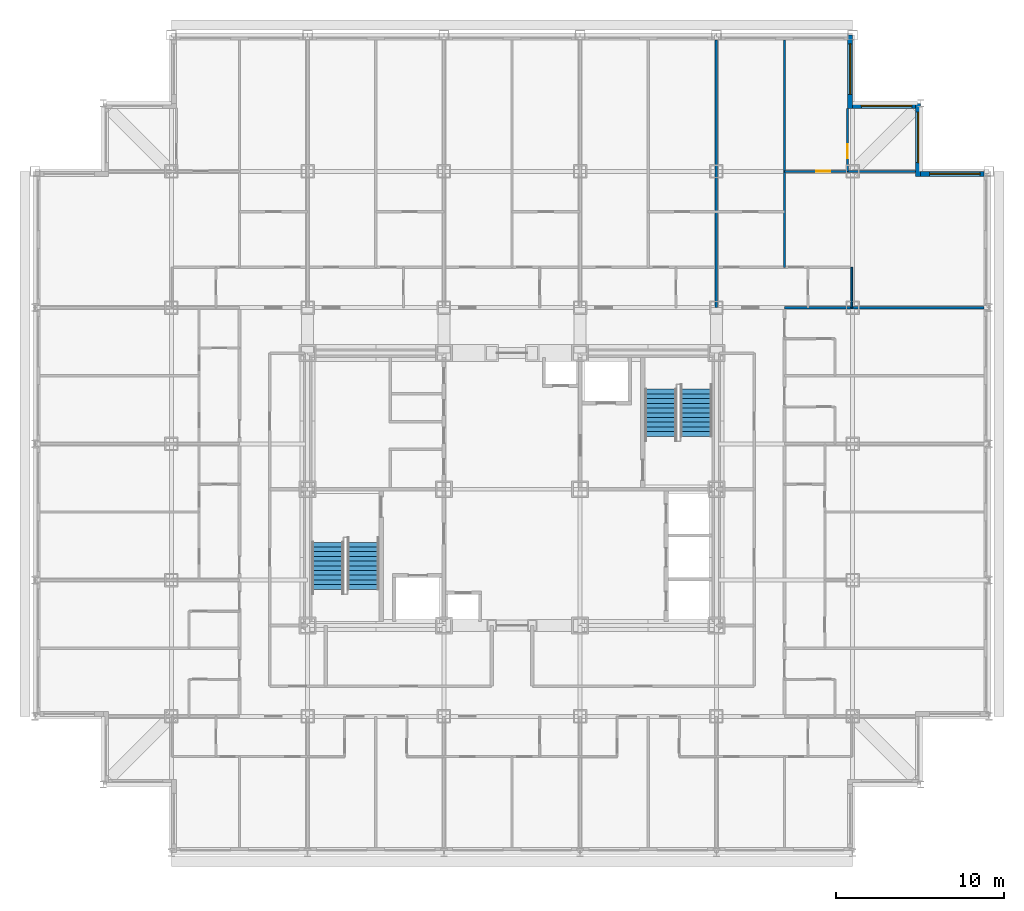
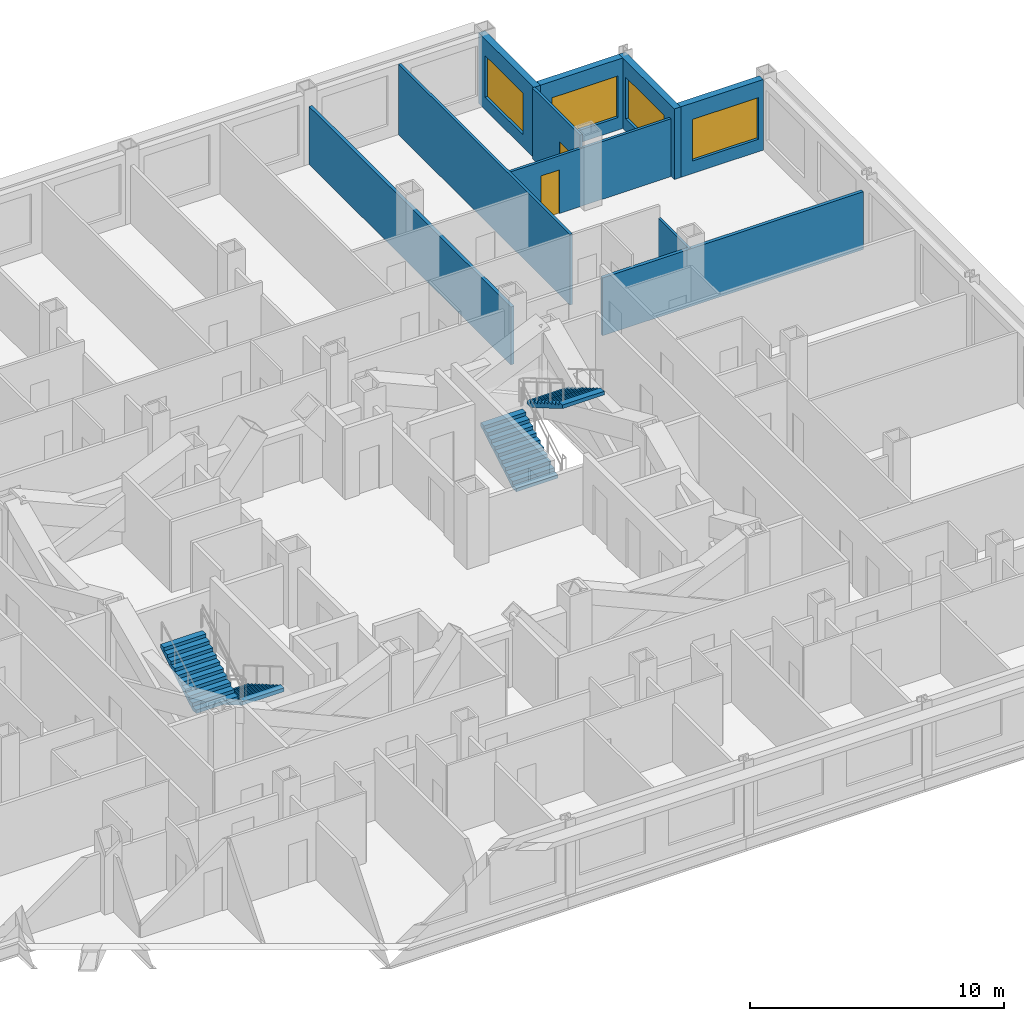
# One storey, part 11 of 12: 10 walls, 4 stair flights, 4 windows, 2 doors, 6 openings, 2 elements without a shape of their own.
"""IFC4 building model written with IfcOpenShell, lengths in metres."""

from ifc_helpers import new_model, si_unit, direction, frame, frame_2d, origin, place, context, subcontext, project, spatial, rectangle, extrude, polygons, source, transform, mapped, material, layer, layer_set, type_object, element, fill, aggregate, save


model = new_model("IFC4")

# Units and contexts
model_context = context("Model", 3, precision=1e-05, world=origin(), true_north=direction((0.0, 1.0)))
body_context = subcontext(model_context, "Body", "Model", "MODEL_VIEW")
ifc_project = project(units=[si_unit("LENGTHUNIT", "METRE"), si_unit("AREAUNIT", "SQUARE_METRE"), si_unit("VOLUMEUNIT", "CUBIC_METRE"), si_unit("PLANEANGLEUNIT", "RADIAN"), si_unit("MASSUNIT", "GRAM", prefix="KILO")], contexts=[model_context])

# Site, building, storey
site_placement = place(None, origin())
site = spatial("IfcSite", under=ifc_project, at=site_placement, CompositionType="ELEMENT")
building_placement = place(site_placement, origin())
building = spatial("IfcBuilding", under=site, at=building_placement, Name="Kopane Lantern Tower", CompositionType="ELEMENT")
storey_placement = place(building_placement, frame((0.0, 0.0, 174.0)))
storey = spatial("IfcBuildingStorey", under=building, at=storey_placement, Name="L44", CompositionType="ELEMENT", Elevation=174.0)

# Wall
ifc_material_1 = material(Name="Gypsum board on steel studs", Category="steel")
ifc_layer_1 = layer(ifc_material_1, 0.1201171875)
ifc_layer_set_1 = layer_set([ifc_layer_1], Name="APARTMENT INTERNAL WALL 120")
wall_type_1 = type_object("IfcWallType", Name="APARTMENT INTERNAL WALL 120", PredefinedType="PARTITIONING", material=ifc_layer_set_1)
wall_1_placement = place(storey_placement, frame((44.550048828125, 45.60009765625, 0.0), z_axis=(0.0, 0.0, 1.0), x_axis=(0.0, 1.0, 0.0)))
element("IfcWall", 1, at=wall_1_placement, inside=storey, type_object=wall_type_1, Name="Apartment Internal Wall 120 L44", PredefinedType="PARTITIONING", context=body_context, shape_type="SweptSolid", body=[
    extrude(rectangle(XDim=13.5, YDim=0.1201171875, at=frame_2d((6.75, 0.0))), origin(), (0.0, 0.0, 1.0), 3.389892578125),
])

# Wall, opening, door
wall_2_placement = place(storey_placement, frame((44.550048828125, 51.300048828125, 0.0), z_axis=(0.0, 0.0, 1.0), x_axis=(1.0, 0.0, 0.0)))
wall_2 = element("IfcWall", 2, at=wall_2_placement, inside=storey, type_object=wall_type_1, Name="Apartment Internal Wall 120 L44", PredefinedType="PARTITIONING", context=body_context, shape_type="SweptSolid", body=[
    extrude(rectangle(XDim=7.800048828125, YDim=0.1201171875, at=frame_2d((3.89990234375, 0.0))), origin(), (0.0, 0.0, 1.0), 2.77783203125),
])
opening_1_placement = place(wall_2_placement, frame((1.875, 0.0, 0.0)))
opening_1 = element("IfcOpeningElement", 3, at=opening_1_placement, cuts=wall_2, Name="Opening L44-066", PredefinedType="OPENING", context=body_context, shape_type="SweptSolid", body=[
    extrude(rectangle(XDim=0.85009765625, YDim=2.10009765625, at=frame_2d((0.425048828125, 1.050048828125))), frame((0.0, 0.070068359375, 0.0), z_axis=(0.0, -1.0, 0.0), x_axis=(1.0, 0.0, 0.0)), (0.0, 0.0, 1.0), 0.14013671875),
])
ifc_material_2 = material(Name="Timber door set", Category="wood")
door_type = type_object("IfcDoorType", Name="DOOR D4 850x2100", OperationType="SINGLE_SWING_LEFT", PredefinedType="DOOR", material=ifc_material_2)
door_1_placement = place(opening_1_placement, origin())
door_1 = element("IfcDoor", 4, at=door_1_placement, inside=storey, type_object=door_type, Name="Door L44-066", OperationType="SINGLE_SWING_RIGHT", OverallHeight=2.10009765625, OverallWidth=0.85009765625, PredefinedType="DOOR", context=body_context, shape_type="SweptSolid", body=[
    extrude(rectangle(XDim=0.85009765625, YDim=2.10009765625, at=frame_2d((0.425048828125, 1.050048828125))), frame((0.0, 0.02490234375, 0.0), z_axis=(0.0, -1.0, 0.0), x_axis=(1.0, 0.0, 0.0)), (0.0, 0.0, 1.0), 0.050048828125),
])
fill(opening_1, door_1)

wall_3_placement = place(storey_placement, frame((48.300048828125, 51.300048828125, 0.0), z_axis=(0.0, 0.0, 1.0), x_axis=(0.0, 1.0, 0.0)))
wall_3 = element("IfcWall", 5, at=wall_3_placement, inside=storey, type_object=wall_type_1, Name="Apartment Internal Wall 120 L44", PredefinedType="PARTITIONING", context=body_context, shape_type="SweptSolid", body=[
    extrude(rectangle(XDim=3.75, YDim=0.1201171875, at=frame_2d((1.875, 0.0))), origin(), (0.0, 0.0, 1.0), 3.389892578125),
])
opening_2_placement = place(wall_3_placement, frame((0.77490234375, 0.0, 0.0)))
opening_2 = element("IfcOpeningElement", 6, at=opening_2_placement, cuts=wall_3, Name="Opening L44-072", PredefinedType="OPENING", context=body_context, shape_type="SweptSolid", body=[
    extrude(rectangle(XDim=0.85009765625, YDim=2.10009765625, at=frame_2d((0.425048828125, 1.050048828125))), frame((0.0, 0.070068359375, 0.0), z_axis=(0.0, -1.0, 0.0), x_axis=(1.0, 0.0, 0.0)), (0.0, 0.0, 1.0), 0.14013671875),
])
door_2_placement = place(opening_2_placement, origin())
door_2 = element("IfcDoor", 7, at=door_2_placement, inside=storey, type_object=door_type, Name="Door L44-072", OperationType="SINGLE_SWING_RIGHT", OverallHeight=2.10009765625, OverallWidth=0.85009765625, PredefinedType="DOOR", context=body_context, shape_type="SweptSolid", body=[
    extrude(rectangle(XDim=0.85009765625, YDim=2.10009765625, at=frame_2d((0.425048828125, 1.050048828125))), frame((0.0, 0.02490234375, 0.0), z_axis=(0.0, -1.0, 0.0), x_axis=(1.0, 0.0, 0.0)), (0.0, 0.0, 1.0), 0.050048828125),
])
fill(opening_2, door_2)

# Walls
ifc_material_3 = material(Name="Moisture-resistant board on steel studs", Category="steel")
ifc_layer_2 = layer(ifc_material_3, 0.10009765625)
ifc_layer_set_2 = layer_set([ifc_layer_2], Name="BATHROOM WALL 100")
wall_type_2 = type_object("IfcWallType", Name="BATHROOM WALL 100", PredefinedType="PARTITIONING", material=ifc_layer_set_2)
wall_4_placement = place(storey_placement, frame((48.550048828125, 43.199951171875, 0.0), z_axis=(0.0, 0.0, 1.0), x_axis=(0.0, 1.0, 0.0)))
element("IfcWall", 8, at=wall_4_placement, inside=storey, type_object=wall_type_2, Name="Bathroom Wall 100 L44", PredefinedType="PARTITIONING", context=body_context, shape_type="SweptSolid", body=[
    extrude(rectangle(XDim=2.400146484375, YDim=0.10009765625, at=frame_2d((1.2001953125, 0.0))), origin(), (0.0, 0.0, 1.0), 2.77783203125),
])
ifc_material_4 = material(Name="Gypsum board on steel studs", Category="steel")
ifc_layer_3 = layer(ifc_material_4, 0.14990234375)
ifc_layer_set_3 = layer_set([ifc_layer_3], Name="DEMISING WALL 150 EI 60")
wall_type_3 = type_object("IfcWallType", Name="DEMISING WALL 150 EI 60", PredefinedType="PARTITIONING", material=ifc_layer_set_3)
wall_5_placement = place(storey_placement, frame((44.550048828125, 43.199951171875, 0.0), z_axis=(0.0, 0.0, 1.0), x_axis=(1.0, 0.0, 0.0)))
element("IfcWall", 9, at=wall_5_placement, inside=storey, type_object=wall_type_3, Name="Demising Wall 150 Ei 60 L44", PredefinedType="PARTITIONING", context=body_context, shape_type="SweptSolid", body=[
    extrude(rectangle(XDim=11.849853515625, YDim=0.14990234375, at=frame_2d((5.9248046875, 0.0))), origin(), (0.0, 0.0, 1.0), 2.77783203125),
])
wall_6_placement = place(storey_placement, frame((40.5, 43.199951171875, 0.0), z_axis=(0.0, 0.0, 1.0), x_axis=(0.0, 1.0, 0.0)))
element("IfcWall", 10, at=wall_6_placement, inside=storey, type_object=wall_type_3, Name="Demising Wall 150 Ei 60 L44", PredefinedType="PARTITIONING", context=body_context, shape_type="SweptSolid", body=[
    extrude(rectangle(XDim=15.900146484375, YDim=0.14990234375, at=frame_2d((7.9501953125, 0.0))), origin(), (0.0, 0.0, 1.0), 2.77783203125),
])

# Wall, opening, window
ifc_material_5 = material(Name="Terracotta rainscreen on light steel framing", Category="masonry")
ifc_layer_4 = layer(ifc_material_5, 0.300048828125)
ifc_layer_set_4 = layer_set([ifc_layer_4], Name="EXTERNAL WALL EW1 300 TERRACOTTA")
wall_type_4 = type_object("IfcWallType", Name="EXTERNAL WALL EW1 300 TERRACOTTA", PredefinedType="SOLIDWALL", material=ifc_layer_set_4)
wall_7_placement = place(storey_placement, frame((56.39990234375, 51.14990234375, 0.0), z_axis=(0.0, 0.0, 1.0), x_axis=(-1.0, 0.0, 0.0)))
wall_7 = element("IfcWall", 11, at=wall_7_placement, inside=storey, type_object=wall_type_4, Name="External wall N L44", PredefinedType="SOLIDWALL", context=body_context, shape_type="SweptSolid", body=[
    extrude(rectangle(XDim=3.75, YDim=0.300048828125, at=frame_2d((1.875, 0.0))), origin(), (0.0, 0.0, 1.0), 3.389892578125),
])
opening_3_placement = place(wall_7_placement, frame((0.22509765625, 0.0, 0.60009765625)))
opening_3 = element("IfcOpeningElement", 12, at=opening_3_placement, cuts=wall_7, Name="Opening WR300200", PredefinedType="OPENING", context=body_context, shape_type="SweptSolid", body=[
    extrude(rectangle(XDim=3.0, YDim=2.0, at=frame_2d((1.5, 1.0))), frame((0.0, 0.159912109375, 0.0), z_axis=(0.0, -1.0, 0.0), x_axis=(1.0, 0.0, 0.0)), (0.0, 0.0, 1.0), 0.320068359375),
])
ifc_material_6 = material(Name="Aluminium and clear glass", Category="aluminium")
window_type = type_object("IfcWindowType", Name="RIBBON WINDOW WR300200 3000x2000", PartitioningType="SINGLE_PANEL", PredefinedType="WINDOW", material=ifc_material_6)
window_1_placement = place(opening_3_placement, origin())
window_1 = element("IfcWindow", 13, at=window_1_placement, inside=storey, type_object=window_type, Name="Window N L44", OverallHeight=2.0, OverallWidth=3.0, PartitioningType="SINGLE_PANEL", PredefinedType="WINDOW", context=body_context, shape_type="SweptSolid", body=[
    extrude(rectangle(XDim=3.0, YDim=2.0, at=frame_2d((1.5, 1.0))), frame((0.0, 0.030029296875, 0.0), z_axis=(0.0, -1.0, 0.0), x_axis=(1.0, 0.0, 0.0)), (0.0, 0.0, 1.0), 0.06005859375),
])
fill(opening_3, window_1)

wall_8_placement = place(storey_placement, frame((52.5, 51.0, 0.0), z_axis=(0.0, 0.0, 1.0), x_axis=(0.0, 1.0, 0.0)))
wall_8 = element("IfcWall", 14, at=wall_8_placement, inside=storey, type_object=wall_type_4, Name="External wall E L44", PredefinedType="SOLIDWALL", context=body_context, shape_type="SweptSolid", body=[
    extrude(rectangle(XDim=4.35009765625, YDim=0.300048828125, at=frame_2d((2.175048828125, 0.0))), origin(), (0.0, 0.0, 1.0), 3.389892578125),
])
opening_4_placement = place(wall_8_placement, frame((0.824951171875, 0.0, 0.60009765625)))
opening_4 = element("IfcOpeningElement", 15, at=opening_4_placement, cuts=wall_8, Name="Opening WR300200", PredefinedType="OPENING", context=body_context, shape_type="SweptSolid", body=[
    extrude(rectangle(XDim=3.0, YDim=2.0, at=frame_2d((1.5, 1.0))), frame((0.0, 0.159912109375, 0.0), z_axis=(0.0, -1.0, 0.0), x_axis=(1.0, 0.0, 0.0)), (0.0, 0.0, 1.0), 0.320068359375),
])
window_2_placement = place(opening_4_placement, origin())
window_2 = element("IfcWindow", 16, at=window_2_placement, inside=storey, type_object=window_type, Name="Window E L44", OverallHeight=2.0, OverallWidth=3.0, PartitioningType="SINGLE_PANEL", PredefinedType="WINDOW", context=body_context, shape_type="SweptSolid", body=[
    extrude(rectangle(XDim=3.0, YDim=2.0, at=frame_2d((1.5, 1.0))), frame((0.0, 0.030029296875, 0.0), z_axis=(0.0, -1.0, 0.0), x_axis=(1.0, 0.0, 0.0)), (0.0, 0.0, 1.0), 0.06005859375),
])
fill(opening_4, window_2)

wall_9_placement = place(storey_placement, frame((52.35009765625, 55.199951171875, 0.0), z_axis=(0.0, 0.0, 1.0), x_axis=(-1.0, 0.0, 0.0)))
wall_9 = element("IfcWall", 17, at=wall_9_placement, inside=storey, type_object=wall_type_4, Name="External wall N L44", PredefinedType="SOLIDWALL", context=body_context, shape_type="SweptSolid", body=[
    extrude(rectangle(XDim=3.75, YDim=0.300048828125, at=frame_2d((1.875, 0.0))), origin(), (0.0, 0.0, 1.0), 3.389892578125),
])
opening_5_placement = place(wall_9_placement, frame((0.22509765625, 0.0, 0.60009765625)))
opening_5 = element("IfcOpeningElement", 18, at=opening_5_placement, cuts=wall_9, Name="Opening WR300200", PredefinedType="OPENING", context=body_context, shape_type="SweptSolid", body=[
    extrude(rectangle(XDim=3.0, YDim=2.0, at=frame_2d((1.5, 1.0))), frame((0.0, 0.159912109375, 0.0), z_axis=(0.0, -1.0, 0.0), x_axis=(1.0, 0.0, 0.0)), (0.0, 0.0, 1.0), 0.320068359375),
])
window_3_placement = place(opening_5_placement, origin())
window_3 = element("IfcWindow", 19, at=window_3_placement, inside=storey, type_object=window_type, Name="Window N L44", OverallHeight=2.0, OverallWidth=3.0, PartitioningType="SINGLE_PANEL", PredefinedType="WINDOW", context=body_context, shape_type="SweptSolid", body=[
    extrude(rectangle(XDim=3.0, YDim=2.0, at=frame_2d((1.5, 1.0))), frame((0.0, 0.030029296875, 0.0), z_axis=(0.0, -1.0, 0.0), x_axis=(1.0, 0.0, 0.0)), (0.0, 0.0, 1.0), 0.06005859375),
])
fill(opening_5, window_3)

wall_10_placement = place(storey_placement, frame((48.449951171875, 55.050048828125, 0.0), z_axis=(0.0, 0.0, 1.0), x_axis=(0.0, 1.0, 0.0)))
wall_10 = element("IfcWall", 20, at=wall_10_placement, inside=storey, type_object=wall_type_4, Name="External wall E L44", PredefinedType="SOLIDWALL", context=body_context, shape_type="SweptSolid", body=[
    extrude(rectangle(XDim=4.349853515625, YDim=0.300048828125, at=frame_2d((2.1748046875, 0.0))), origin(), (0.0, 0.0, 1.0), 3.389892578125),
])
opening_6_placement = place(wall_10_placement, frame((0.824951171875, 0.0, 0.60009765625)))
opening_6 = element("IfcOpeningElement", 21, at=opening_6_placement, cuts=wall_10, Name="Opening WR300200", PredefinedType="OPENING", context=body_context, shape_type="SweptSolid", body=[
    extrude(rectangle(XDim=3.0, YDim=2.0, at=frame_2d((1.5, 1.0))), frame((0.0, 0.159912109375, 0.0), z_axis=(0.0, -1.0, 0.0), x_axis=(1.0, 0.0, 0.0)), (0.0, 0.0, 1.0), 0.320068359375),
])
window_4_placement = place(opening_6_placement, origin())
window_4 = element("IfcWindow", 22, at=window_4_placement, inside=storey, type_object=window_type, Name="Window E L44", OverallHeight=2.0, OverallWidth=3.0, PartitioningType="SINGLE_PANEL", PredefinedType="WINDOW", context=body_context, shape_type="SweptSolid", body=[
    extrude(rectangle(XDim=3.0, YDim=2.0, at=frame_2d((1.5, 1.0))), frame((0.0, 0.030029296875, 0.0), z_axis=(0.0, -1.0, 0.0), x_axis=(1.0, 0.0, 0.0)), (0.0, 0.0, 1.0), 0.06005859375),
])
fill(opening_6, window_4)

# Stair, stair flights
ifc_material_7 = material(Name="Steel S355JR", Category="steel")
stair_type = type_object("IfcStairType", Name="EXIT STAIR 1900 HALF TURN", PredefinedType="HALF_TURN_STAIR", material=ifc_material_7)
stair_1_placement = place(storey_placement, origin())
stair_1 = element("IfcStair", 23, at=stair_1_placement, inside=storey, type_object=stair_type, Name="Exit stair ST1 L44", PredefinedType="HALF_TURN_STAIR")
ifc_material_8 = material(Name="Steel S355JR", Category="steel")
stair_flight_type = type_object("IfcStairFlightType", Name="STAIR FLIGHT 1900 STEEL", PredefinedType="STRAIGHT", material=ifc_material_8)
shared_shape = source(origin(), body_context, "Body", "Tessellation", [
    polygons([(2.800048828, 0.949951172, 1.636474609), (2.520019531, 0.949951172, 1.636474609), (2.520019531, -0.949951172, 1.636474609), (2.800048828, -0.949951172, 1.636474609), (0.297119141, 0.949951172, 0.0), (2.800048828, 0.949951172, 1.462646484), (2.800048828, -0.949951172, 1.462646484), (0.297119141, -0.949951172, 0.0), (0.0, 0.949951172, 0.0), (0.0, -0.949951172, 0.0), (0.280029297, 0.949951172, 0.163574219), (0.0, 0.949951172, 0.163574219), (0.0, -0.949951172, 0.163574219), (0.280029297, -0.949951172, 0.163574219), (0.280029297, 0.949951172, 0.327392578), (0.280029297, -0.949951172, 0.327392578), (0.560058594, 0.949951172, 0.327392578), (0.560058594, -0.949951172, 0.327392578), (0.560058594, 0.949951172, 0.490966797), (0.560058594, -0.949951172, 0.490966797), (0.840087891, 0.949951172, 0.490966797), (0.840087891, -0.949951172, 0.490966797), (0.840087891, 0.949951172, 0.654541016), (0.840087891, -0.949951172, 0.654541016), (1.120117188, 0.949951172, 0.654541016), (1.120117188, -0.949951172, 0.654541016), (1.120117188, 0.949951172, 0.818115234), (1.120117188, -0.949951172, 0.818115234), (1.399902344, 0.949951172, 0.818115234), (1.399902344, -0.949951172, 0.818115234), (1.399902344, 0.949951172, 0.981933594), (1.399902344, -0.949951172, 0.981933594), (1.679931641, 0.949951172, 0.981933594), (1.679931641, -0.949951172, 0.981933594), (1.679931641, 0.949951172, 1.145507812), (1.679931641, -0.949951172, 1.145507812), (1.959960938, 0.949951172, 1.145507812), (1.959960938, -0.949951172, 1.145507812), (1.959960938, 0.949951172, 1.309082031), (1.959960938, -0.949951172, 1.309082031), (2.239990234, 0.949951172, 1.309082031), (2.239990234, -0.949951172, 1.309082031), (2.239990234, 0.949951172, 1.47265625), (2.239990234, -0.949951172, 1.47265625), (2.520019531, 0.949951172, 1.47265625), (2.520019531, -0.949951172, 1.47265625), (0.0, 0.0, 0.004420925), (0.0, 0.0, 0.00884185), (0.0, 0.0, 0.013262774), (0.0, 0.0, 0.017683699), (0.0, 0.0, 0.022104624), (0.0, 0.0, 0.026525549), (0.0, 0.0, 0.030946474), (0.0, 0.0, 0.035367399), (0.0, 0.0, 0.039788323), (0.0, 0.0, 0.044209248), (0.0, 0.0, 0.048630173), (0.0, 0.0, 0.053051098), (0.0, 0.0, 0.057472023), (0.0, 0.0, 0.061892948), (0.0, 0.0, 0.066313872), (0.0, 0.0, 0.070734797), (0.0, 0.0, 0.075155722), (0.0, 0.0, 0.079576647), (0.0, 0.0, 0.083997572), (0.0, 0.0, 0.088418497), (0.0, 0.0, 0.092839421), (0.0, 0.0, 0.097260346), (0.0, 0.0, 0.101681271), (0.0, 0.0, 0.106102196), (0.0, 0.0, 0.110523121), (0.0, 0.0, 0.114944046), (0.0, 0.0, 0.11936497), (0.0, 0.0, 0.123785895), (0.0, 0.0, 0.12820682), (0.0, 0.0, 0.132627745), (0.0, 0.0, 0.13704867), (0.0, 0.0, 0.141469595), (0.0, 0.0, 0.145890519), (0.0, 0.0, 0.150311444), (0.0, 0.0, 0.154732369), (0.0, 0.0, 0.159153294), (2.800048828, 0.0, 1.467344542), (2.800048828, 0.0, 1.472042599), (2.800048828, 0.0, 1.476740657), (2.800048828, 0.0, 1.481438714), (2.800048828, 0.0, 1.486136772), (2.800048828, 0.0, 1.490834829), (2.800048828, 0.0, 1.495532886), (2.800048828, 0.0, 1.500230944), (2.800048828, 0.0, 1.504929001), (2.800048828, 0.0, 1.509627059), (2.800048828, 0.0, 1.514325116), (2.800048828, 0.0, 1.519023174), (2.800048828, 0.0, 1.523721231), (2.800048828, 0.0, 1.528419288), (2.800048828, 0.0, 1.533117346), (2.800048828, 0.0, 1.537815403), (2.800048828, 0.0, 1.542513461), (2.800048828, 0.0, 1.547211518), (2.800048828, 0.0, 1.551909576), (2.800048828, 0.0, 1.556607633), (2.800048828, 0.0, 1.56130569), (2.800048828, 0.0, 1.566003748), (2.800048828, 0.0, 1.570701805), (2.800048828, 0.0, 1.575399863), (2.800048828, 0.0, 1.58009792), (2.800048828, 0.0, 1.584795978), (2.800048828, 0.0, 1.589494035), (2.800048828, 0.0, 1.594192092), (2.800048828, 0.0, 1.59889015), (2.800048828, 0.0, 1.603588207), (2.800048828, 0.0, 1.608286265), (2.800048828, 0.0, 1.612984322), (2.800048828, 0.0, 1.61768238), (2.800048828, 0.0, 1.622380437), (2.800048828, 0.0, 1.627078495), (2.800048828, 0.0, 1.631776552)], [[[1, 2, 3]], [[1, 3, 4]], [[5, 6, 7]], [[5, 7, 8]], [[9, 5, 8]], [[9, 8, 10]], [[11, 12, 13]], [[11, 13, 14]], [[15, 11, 14]], [[15, 14, 16]], [[17, 15, 16]], [[17, 16, 18]], [[19, 17, 18]], [[19, 18, 20]], [[21, 19, 20]], [[21, 20, 22]], [[23, 21, 22]], [[23, 22, 24]], [[25, 23, 24]], [[25, 24, 26]], [[27, 25, 26]], [[27, 26, 28]], [[29, 27, 28]], [[29, 28, 30]], [[31, 29, 30]], [[31, 30, 32]], [[33, 31, 32]], [[33, 32, 34]], [[35, 33, 34]], [[35, 34, 36]], [[37, 35, 36]], [[37, 36, 38]], [[39, 37, 38]], [[39, 38, 40]], [[41, 39, 40]], [[41, 40, 42]], [[43, 41, 42]], [[43, 42, 44]], [[45, 43, 44]], [[45, 44, 46]], [[2, 45, 46]], [[2, 46, 3]], [[45, 1, 6]], [[41, 45, 6]], [[2, 1, 45]], [[37, 41, 6]], [[43, 45, 41]], [[39, 41, 37]], [[35, 37, 33]], [[31, 33, 29]], [[27, 29, 25]], [[5, 21, 25]], [[17, 21, 5]], [[23, 25, 21]], [[11, 17, 5]], [[19, 21, 17]], [[9, 11, 5]], [[15, 17, 11]], [[12, 11, 9]], [[6, 5, 25]], [[6, 25, 29]], [[6, 29, 33]], [[6, 33, 37]], [[7, 4, 46]], [[7, 46, 42]], [[46, 4, 3]], [[7, 42, 38]], [[42, 46, 44]], [[38, 42, 40]], [[34, 38, 36]], [[30, 34, 32]], [[26, 30, 28]], [[26, 22, 8]], [[8, 22, 18]], [[22, 26, 24]], [[8, 18, 14]], [[18, 22, 20]], [[8, 14, 10]], [[14, 18, 16]], [[10, 14, 13]], [[26, 8, 7]], [[30, 26, 7]], [[34, 30, 7]], [[38, 34, 7]], [[10, 47, 9]], [[10, 48, 47]], [[9, 47, 48]], [[10, 49, 48]], [[9, 48, 49]], [[10, 50, 49]], [[9, 49, 50]], [[10, 51, 50]], [[9, 50, 51]], [[10, 52, 51]], [[9, 51, 52]], [[10, 53, 52]], [[9, 52, 53]], [[10, 54, 53]], [[9, 53, 54]], [[10, 55, 54]], [[9, 54, 55]], [[10, 56, 55]], [[9, 55, 56]], [[10, 57, 56]], [[9, 56, 57]], [[10, 58, 57]], [[9, 57, 58]], [[10, 59, 58]], [[9, 58, 59]], [[10, 60, 59]], [[9, 59, 60]], [[10, 61, 60]], [[9, 60, 61]], [[10, 62, 61]], [[9, 61, 62]], [[10, 63, 62]], [[9, 62, 63]], [[10, 64, 63]], [[9, 63, 64]], [[10, 65, 64]], [[9, 64, 65]], [[10, 66, 65]], [[9, 65, 66]], [[10, 67, 66]], [[9, 66, 67]], [[10, 68, 67]], [[9, 67, 68]], [[10, 69, 68]], [[9, 68, 69]], [[10, 70, 69]], [[9, 69, 70]], [[10, 71, 70]], [[9, 70, 71]], [[10, 72, 71]], [[9, 71, 72]], [[10, 73, 72]], [[9, 72, 73]], [[10, 74, 73]], [[9, 73, 74]], [[10, 75, 74]], [[9, 74, 75]], [[10, 76, 75]], [[9, 75, 76]], [[10, 77, 76]], [[9, 76, 77]], [[10, 78, 77]], [[9, 77, 78]], [[10, 79, 78]], [[9, 78, 79]], [[10, 80, 79]], [[9, 79, 80]], [[10, 81, 80]], [[9, 80, 81]], [[10, 82, 81]], [[9, 81, 82]], [[10, 13, 82]], [[82, 13, 12]], [[9, 82, 12]], [[7, 6, 83]], [[7, 83, 84]], [[6, 84, 83]], [[7, 84, 85]], [[6, 85, 84]], [[7, 85, 86]], [[6, 86, 85]], [[7, 86, 87]], [[6, 87, 86]], [[7, 87, 88]], [[6, 88, 87]], [[7, 88, 89]], [[6, 89, 88]], [[7, 89, 90]], [[6, 90, 89]], [[7, 90, 91]], [[6, 91, 90]], [[7, 91, 92]], [[6, 92, 91]], [[7, 92, 93]], [[6, 93, 92]], [[7, 93, 94]], [[6, 94, 93]], [[7, 94, 95]], [[6, 95, 94]], [[7, 95, 96]], [[6, 96, 95]], [[7, 96, 97]], [[6, 97, 96]], [[7, 97, 98]], [[6, 98, 97]], [[7, 98, 99]], [[6, 99, 98]], [[7, 99, 100]], [[6, 100, 99]], [[7, 100, 101]], [[6, 101, 100]], [[7, 101, 102]], [[6, 102, 101]], [[7, 102, 103]], [[6, 103, 102]], [[7, 103, 104]], [[6, 104, 103]], [[7, 104, 105]], [[6, 105, 104]], [[7, 105, 106]], [[6, 106, 105]], [[7, 106, 107]], [[6, 107, 106]], [[7, 107, 108]], [[6, 108, 107]], [[7, 108, 109]], [[6, 109, 108]], [[7, 109, 110]], [[6, 110, 109]], [[7, 110, 111]], [[6, 111, 110]], [[7, 111, 112]], [[6, 112, 111]], [[7, 112, 113]], [[6, 113, 112]], [[7, 113, 114]], [[6, 114, 113]], [[7, 114, 115]], [[6, 115, 114]], [[7, 115, 116]], [[6, 116, 115]], [[7, 116, 117]], [[6, 117, 116]], [[7, 117, 118]], [[6, 118, 117]], [[7, 118, 4]], [[118, 1, 4]], [[6, 1, 118]]], closed=True),
])
stair_flight_1_placement = place(storey_placement, frame((19.5, 29.25, 0.0), z_axis=(0.0, 0.0, 1.0), x_axis=(0.0, -1.0, 0.0)))
stair_flight_1 = element("IfcStairFlight", 24, at=stair_flight_1_placement, type_object=stair_flight_type, Name="ST1 flight 1", NumberOfRisers=11, NumberOfTreads=10, PredefinedType="STRAIGHT", RiserHeight=0.163636364, TreadLength=0.28, context=body_context, shape_type="MappedRepresentation", body=[
    mapped(shared_shape, transform((0.0, 0.0, 0.0))),
])
stair_flight_2_placement = place(storey_placement, frame((17.39990234375, 26.449951171875, 1.800048828125), z_axis=(0.0, 0.0, 1.0), x_axis=(0.0, 1.0, 0.0)))
stair_flight_2 = element("IfcStairFlight", 25, at=stair_flight_2_placement, type_object=stair_flight_type, Name="ST1 flight 2", NumberOfRisers=11, NumberOfTreads=10, PredefinedType="STRAIGHT", RiserHeight=0.163636364, TreadLength=0.28, context=body_context, shape_type="MappedRepresentation", body=[
    mapped(shared_shape, transform((0.0, 0.0, 0.0))),
])
aggregate(stair_1, [stair_flight_1, stair_flight_2])

stair_2_placement = place(storey_placement, origin())
stair_2 = element("IfcStair", 26, at=stair_2_placement, inside=storey, type_object=stair_type, Name="Exit stair ST2 L44", PredefinedType="HALF_TURN_STAIR")
stair_flight_3_placement = place(storey_placement, frame((37.199951171875, 35.550048828125, 0.0), z_axis=(0.0, 0.0, 1.0), x_axis=(0.0, 1.0, 0.0)))
stair_flight_3 = element("IfcStairFlight", 27, at=stair_flight_3_placement, type_object=stair_flight_type, Name="ST2 flight 1", NumberOfRisers=11, NumberOfTreads=10, PredefinedType="STRAIGHT", RiserHeight=0.163636364, TreadLength=0.28, context=body_context, shape_type="MappedRepresentation", body=[
    mapped(shared_shape, transform((0.0, 0.0, 0.0))),
])
stair_flight_4_placement = place(storey_placement, frame((39.300048828125, 38.35009765625, 1.800048828125), z_axis=(0.0, 0.0, 1.0), x_axis=(0.0, -1.0, 0.0)))
stair_flight_4 = element("IfcStairFlight", 28, at=stair_flight_4_placement, type_object=stair_flight_type, Name="ST2 flight 2", NumberOfRisers=11, NumberOfTreads=10, PredefinedType="STRAIGHT", RiserHeight=0.163636364, TreadLength=0.28, context=body_context, shape_type="MappedRepresentation", body=[
    mapped(shared_shape, transform((0.0, 0.0, 0.0))),
])
aggregate(stair_2, [stair_flight_3, stair_flight_4])

save(model, "model.ifc")
